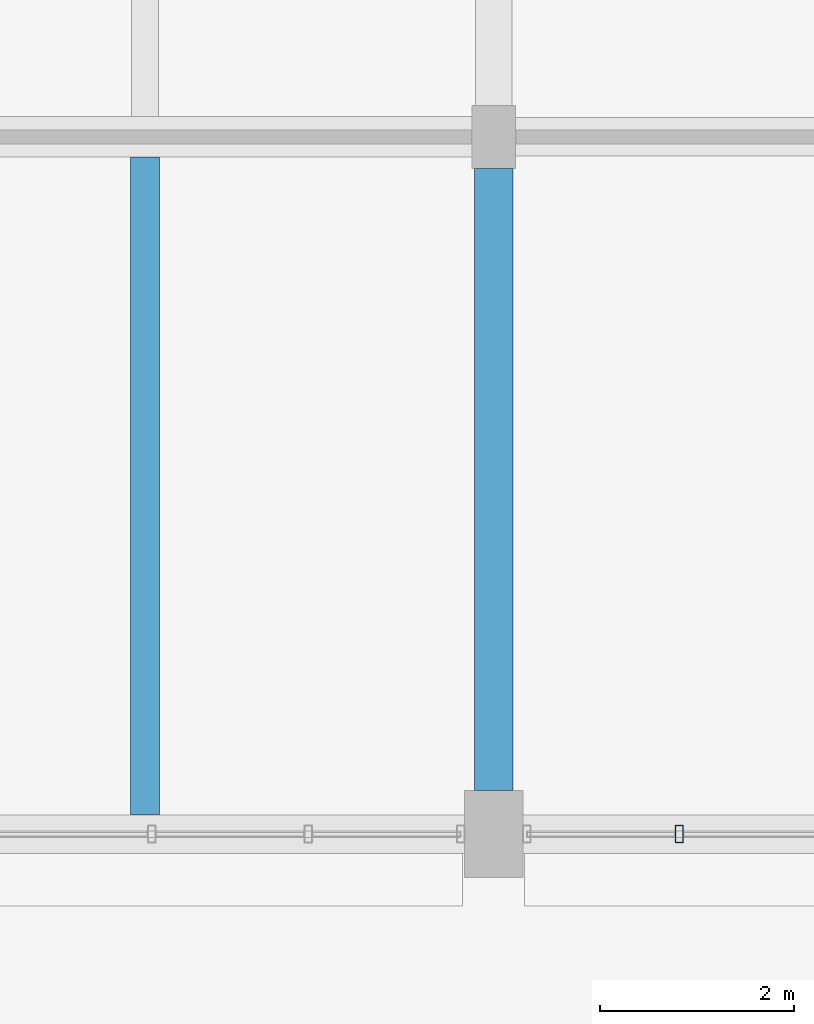
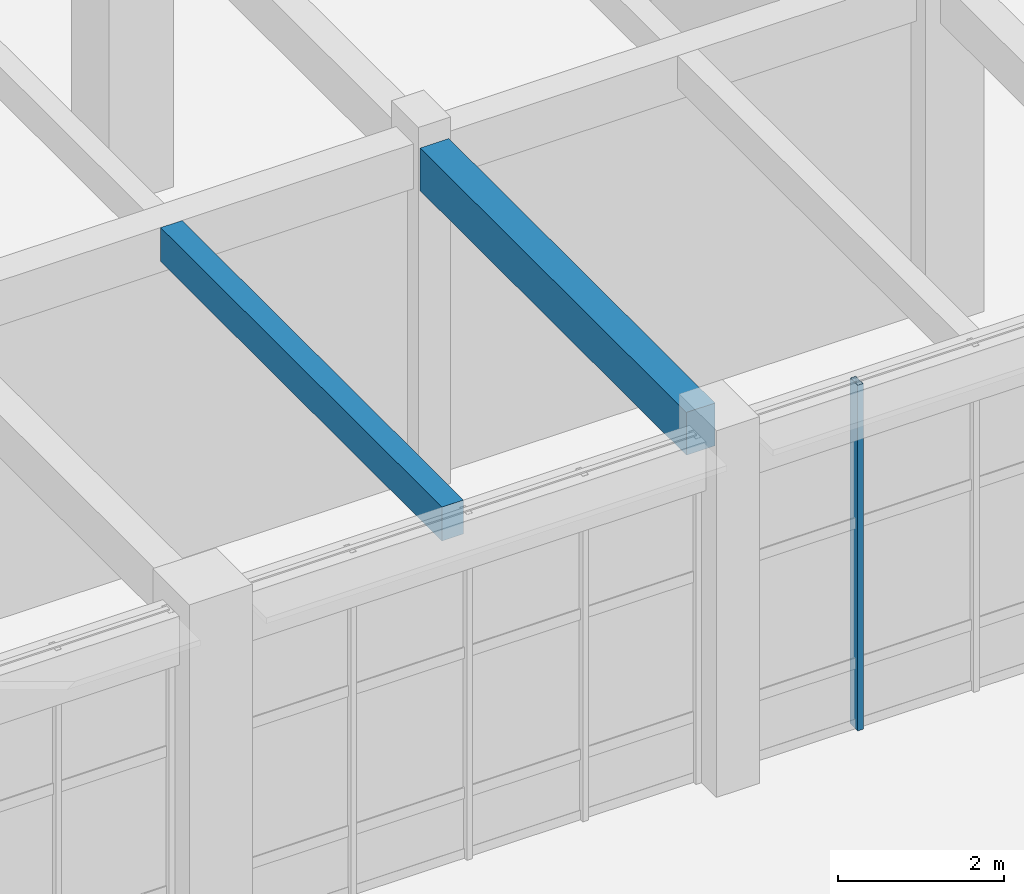
# One storey, part 86 of 160: 2 beams, 1 member, 1 element without a shape of its own.
"""IFC4 building model written with IfcOpenShell, lengths in metres."""

from ifc_helpers import new_model, si_unit, direction, frame, origin, origin_2d, place, context, subcontext, project, spatial, rectangle, hollow_rectangle, extrude, material, material_profile, profile_set, type_object, element, aggregate, save


model = new_model("IFC4")

# Units and contexts
model_context = context("Model", 3, precision=1e-05, world=origin(), true_north=direction((0.0, 1.0)))
body_context = subcontext(model_context, "Body", "Model", "MODEL_VIEW")
ifc_project = project(units=[si_unit("LENGTHUNIT", "METRE"), si_unit("AREAUNIT", "SQUARE_METRE"), si_unit("VOLUMEUNIT", "CUBIC_METRE"), si_unit("PLANEANGLEUNIT", "RADIAN"), si_unit("MASSUNIT", "GRAM", prefix="KILO")], contexts=[model_context])

# Site, building, storey
site_placement = place(None, origin())
site = spatial("IfcSite", under=ifc_project, at=site_placement, CompositionType="ELEMENT")
building_placement = place(site_placement, origin())
building = spatial("IfcBuilding", under=site, at=building_placement, Name="Thalmaran Polytechnic", CompositionType="ELEMENT")
storey_placement = place(building_placement, origin())
storey = spatial("IfcBuildingStorey", under=building, at=storey_placement, Name="L00", CompositionType="ELEMENT", Elevation=0.0)

# Beams
ifc_material_1 = material(Name="Concrete C40/50", Category="concrete")
ifc_material_profile_1 = material_profile(ifc_material_1, rectangle(XDim=0.39990234375, YDim=0.6298828125, at=origin_2d()), Name="RC 400x630")
ifc_profile_set_1 = profile_set([ifc_material_profile_1], Name="Concrete C40/50")
beam_type_1 = type_object("IfcBeamType", Name="BM-RC07", PredefinedType="BEAM", material=ifc_profile_set_1)
beam_1_placement = place(storey_placement, frame((122.39990234375, 94.050048828125, 4.77490234375), z_axis=(0.0, 1.0, 0.0), x_axis=(-1.0, 0.0, 0.0)))
element("IfcBeam", 1, at=beam_1_placement, inside=storey, type_object=beam_type_1, Name="Grid Beam B07 L00 Y(17,13)", PredefinedType="BEAM", context=body_context, shape_type="SweptSolid", body=[
    extrude(rectangle(XDim=0.39990234375, YDim=0.6298828125, at=origin_2d()), origin(), (0.0, 0.0, 1.0), 6.425048828125),
])
ifc_material_profile_2 = material_profile(ifc_material_1, rectangle(XDim=0.300048828125, YDim=0.5, at=origin_2d()), Name="RC 300x500")
ifc_profile_set_2 = profile_set([ifc_material_profile_2], Name="Concrete C40/50")
beam_type_2 = type_object("IfcBeamType", Name="BM-RC11", PredefinedType="JOIST", material=ifc_profile_set_2)
beam_2_placement = place(storey_placement, frame((118.800048828125, 93.800048828125, 4.840087890625), z_axis=(0.0, 1.0, 0.0), x_axis=(-1.0, 0.0, 0.0)))
element("IfcBeam", 2, at=beam_2_placement, inside=storey, type_object=beam_type_2, Name="Secondary Floor Rib RB01 L00 (16,13)", PredefinedType="JOIST", context=body_context, shape_type="SweptSolid", body=[
    extrude(rectangle(XDim=0.300048828125, YDim=0.5, at=origin_2d()), origin(), (0.0, 0.0, 1.0), 6.7900390625),
])

# Curtain wall, member
ifc_material_2 = material(Name="Aluminium 6063-T6", Category="aluminium")
curtain_wall_type = type_object("IfcCurtainWallType", Name="CW-UC01", PredefinedType="USERDEFINED", material=ifc_material_2)
curtain_wall_placement = place(storey_placement, origin())
curtain_wall = element("IfcCurtainWall", 3, at=curtain_wall_placement, inside=storey, type_object=curtain_wall_type, Name="Curtain Wall CW-L00-072", ObjectType="UNITISED CURTAIN WALL", PredefinedType="USERDEFINED")
ifc_material_profile_3 = material_profile(ifc_material_2, hollow_rectangle(XDim=0.080078125, YDim=0.179931640625, WallThickness=0.0048828125, at=origin_2d()), Name="RHS 180x80x5.0")
ifc_profile_set_3 = profile_set([ifc_material_profile_3], Name="Aluminium 6063-T6")
member_type = type_object("IfcMemberType", Name="CW-MUL1", PredefinedType="MULLION", material=ifc_profile_set_3)
member_placement = place(storey_placement, frame((124.31494140625, 93.60009765625, 0.0), z_axis=(0.0, 0.0, 1.0), x_axis=(1.0, 0.0, 0.0)))
member = element("IfcMember", 4, at=member_placement, type_object=member_type, Name="CW-L00-072 Mullion 4", PredefinedType="MULLION", context=body_context, shape_type="SweptSolid", body=[
    extrude(hollow_rectangle(XDim=0.080078125, YDim=0.179931640625, WallThickness=0.0048828125, at=origin_2d()), origin(), (0.0, 0.0, 1.0), 5.090087890625),
])
aggregate(curtain_wall, [member])

save(model, "model.ifc")
